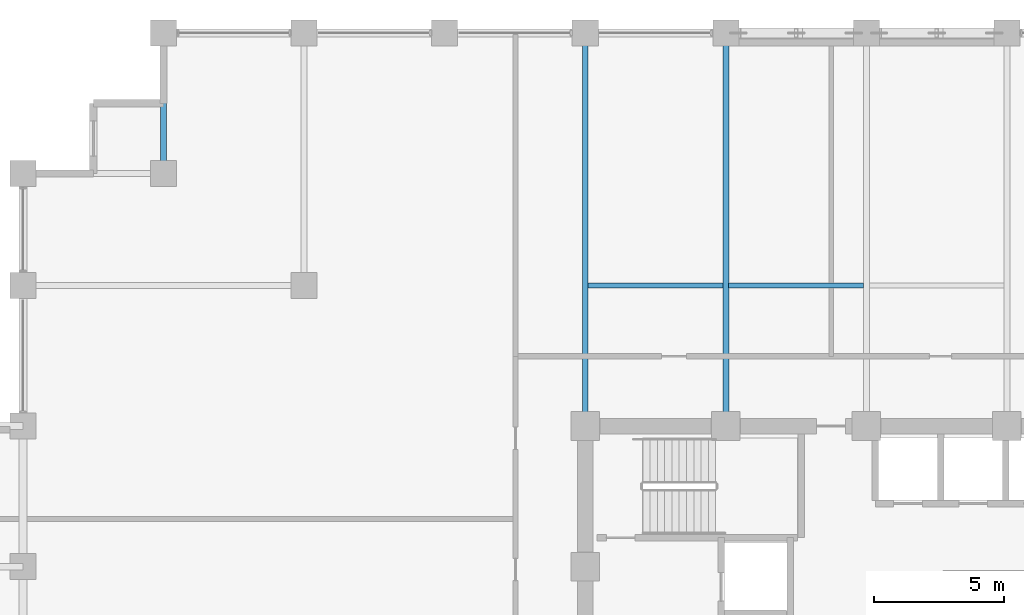
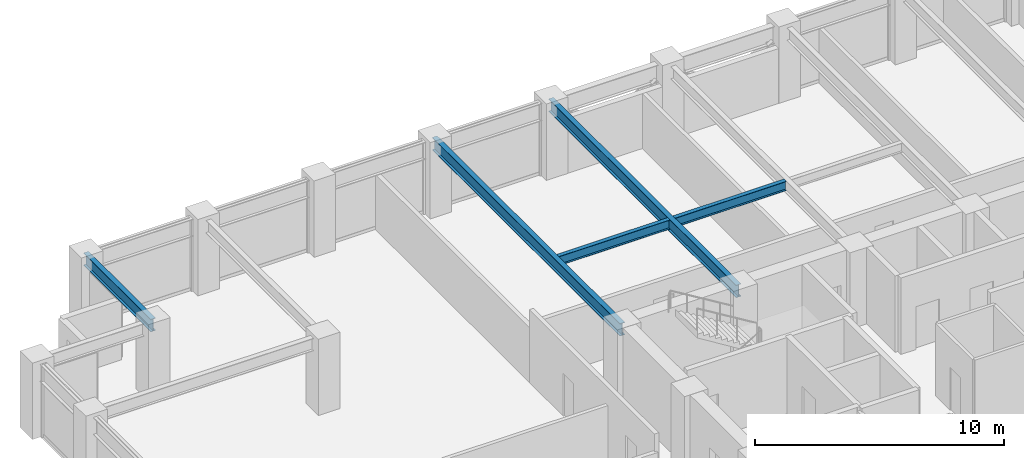
# One storey, part 12 of 26: 5 beams.
"""IFC4 building model written with IfcOpenShell, lengths in metres."""

import ifcopenshell
import ifcopenshell.guid

model = None  # the IFC model being written
_history = None  # IfcOwnerHistory: only IFC2X3 demands one
_inside = {}  # id of a spatial element -> (the spatial element, [elements in it])
_under = {}  # id of a project, library or spatial element -> (it, [spatial elements below it])
_declared = {}  # id of a project -> (the project, [libraries it declares])
_typed = {}  # id of a type object -> (the type object, [elements of that type])
_made_of = {}  # id of a material, layer set ... -> (it, [elements and type objects made of it])


def new_model(schema):
    """Start an empty IFC model of exactly this schema.

    Asked for "IFC4X3", IfcOpenShell would pick the latest addendum, in which some entities
    have other attributes; the version numbers below select the first issue.
    IFC2X3 requires an IfcOwnerHistory on every rooted entity: one is made here for all.
    """
    global model, _history
    if schema == "IFC4X3":
        model = ifcopenshell.file(schema_version=(4, 3, 0, 0))
    else:
        model = ifcopenshell.file(schema=schema)
    _inside.clear()
    _under.clear()
    _declared.clear()
    _typed.clear()
    _made_of.clear()
    _history = None
    if model.schema == "IFC2X3":
        org = make("IfcOrganization", Name="unknown")
        user = make(
            "IfcPersonAndOrganization",
            ThePerson=make("IfcPerson", FamilyName="unknown"),
            TheOrganization=org,
        )
        app = make(
            "IfcApplication",
            ApplicationDeveloper=org,
            Version="unknown",
            ApplicationFullName="unknown",
            ApplicationIdentifier="unknown",
        )
        _history = make(
            "IfcOwnerHistory",
            OwningUser=user,
            OwningApplication=app,
            ChangeAction="ADDED",
            CreationDate=0,
        )
    return model


def make(cls, **values):
    """One entity of the class cls with the attributes given. An attribute that is None is left unset."""
    return model.create_entity(
        cls, **{name: value for name, value in values.items() if value is not None}
    )


def rooted(cls, **values):
    """An entity with a GlobalId (a new one), such as an element, a storey or a relation."""
    return make(cls, GlobalId=ifcopenshell.guid.new(), OwnerHistory=_history, **values)


def si_unit(unit_type, name, prefix=None):
    """IfcSIUnit, for example si_unit("LENGTHUNIT", "METRE", prefix="MILLI")."""
    return make("IfcSIUnit", UnitType=unit_type, Prefix=prefix, Name=name)


def assignment(units):
    """IfcUnitAssignment: the units of a project."""
    return None if units is None else make("IfcUnitAssignment", Units=units)


def point(xyz):
    """IfcCartesianPoint."""
    return None if xyz is None else make("IfcCartesianPoint", Coordinates=xyz)


def direction(xyz):
    """IfcDirection."""
    return None if xyz is None else make("IfcDirection", DirectionRatios=xyz)


def frame(location, z_axis=None, x_axis=None):
    """IfcAxis2Placement3D, a coordinate frame: its origin and axes. An axis left out is left unset."""
    return make(
        "IfcAxis2Placement3D",
        Location=point(location),
        Axis=direction(z_axis),
        RefDirection=direction(x_axis),
    )


def frame_2d(location, x_axis=None):
    """IfcAxis2Placement2D, a coordinate frame in the plane: its origin and x axis."""
    return make(
        "IfcAxis2Placement2D", Location=point(location), RefDirection=direction(x_axis)
    )


def origin():
    """The frame at (0, 0, 0) with its axes left unset."""
    return frame((0.0, 0.0, 0.0))


def origin_2d():
    """The frame at (0, 0) in the plane with its x axis left unset."""
    return frame_2d((0.0, 0.0))


def place(relative_to, where):
    """IfcLocalPlacement: puts the frame where relative to a parent placement (None: the world)."""
    return make(
        "IfcLocalPlacement", PlacementRelTo=relative_to, RelativePlacement=where
    )


def context(
    kind, dimensions, precision=None, world=None, true_north=None, identifier=None
):
    """IfcGeometricRepresentationContext, for example the 3D "Model" context."""
    return make(
        "IfcGeometricRepresentationContext",
        ContextIdentifier=identifier,
        ContextType=kind,
        CoordinateSpaceDimension=dimensions,
        Precision=precision,
        WorldCoordinateSystem=world,
        TrueNorth=true_north,
    )


def subcontext(parent, identifier, kind, view, scale=None):
    """IfcGeometricRepresentationSubContext, for example "Body" below "Model"."""
    return make(
        "IfcGeometricRepresentationSubContext",
        ContextIdentifier=identifier,
        ContextType=kind,
        ParentContext=parent,
        TargetScale=scale,
        TargetView=view,
    )


def project(units=None, contexts=None):
    """IfcProject with its units and contexts."""
    return rooted(
        "IfcProject",
        Name="project",
        RepresentationContexts=contexts,
        UnitsInContext=assignment(units),
    )


def spatial(cls, under=None, at=None, **own):
    """A site, building, storey or space (cls), placed at a placement, below another one or the project."""
    s = rooted(cls, ObjectPlacement=at, **own)
    if under is not None:
        _under.setdefault(under.id(), (under, []))[1].append(s)
    return s


def profile(cls, at=None, kind="AREA", **sizes):
    """A parametric profile (cls). Its sizes go by their IFC names, for example OverallWidth=200.0."""
    return make(cls, ProfileType=kind, Position=at, **sizes)


def i_section(**sizes):
    """IfcIShapeProfileDef."""
    return profile("IfcIShapeProfileDef", **sizes)


def extrude(swept, where, along, depth):
    """IfcExtrudedAreaSolid: the profile swept, set in the frame where, extruded along a direction by depth."""
    return make(
        "IfcExtrudedAreaSolid",
        SweptArea=swept,
        Position=where,
        ExtrudedDirection=direction(along),
        Depth=depth,
    )


def shape(context_of_items, identifier, shape_type, items):
    """IfcShapeRepresentation: the items that make up one representation, for example the "Body"."""
    return make(
        "IfcShapeRepresentation",
        ContextOfItems=context_of_items,
        RepresentationIdentifier=identifier,
        RepresentationType=shape_type,
        Items=items,
    )


def material(Name=None, Category=None):
    """IfcMaterial."""
    return make("IfcMaterial", Name=Name, Category=Category)


def material_profile(
    of_material, cross_section, Name=None, Category=None, Priority=None
):
    """IfcMaterialProfile: a cross section and its material."""
    return make(
        "IfcMaterialProfile",
        Name=Name,
        Material=of_material,
        Profile=cross_section,
        Priority=Priority,
        Category=Category,
    )


def profile_set(profiles, Name=None, composite=None):
    """IfcMaterialProfileSet."""
    return make(
        "IfcMaterialProfileSet",
        Name=Name,
        MaterialProfiles=profiles,
        CompositeProfile=composite,
    )


def made_of(thing, what):
    """Note that an element or type object is made of a material, layer set ...; save() writes the relation."""
    if what is not None:
        _made_of.setdefault(what.id(), (what, []))[1].append(thing)
    return thing


def type_object(cls, material=None, **own):
    """A type object (cls), such as IfcWallType, which elements share."""
    return made_of(rooted(cls, **own), material)


def element(
    cls,
    number,
    at=None,
    inside=None,
    cuts=None,
    type_object=None,
    material=None,
    context=None,
    identifier="Body",
    shape_type=None,
    held_by="IfcProductDefinitionShape",
    body=None,
    shapes=None,
    **own,
):
    """One element of the class cls, such as IfcWall. Its Tag is "e" and its number.

    at: its placement. inside: the storey or other place that contains it. cuts: it is an
    opening in that element (IfcRelVoidsElement). A single representation is given by context,
    identifier, shape_type and body (its items); several are given by shapes. held_by: the class
    of the entity that holds the representations. save() writes the other relations.
    """
    e = rooted(cls, Tag="e%d" % number, ObjectPlacement=at, **own)
    if body is not None:
        shapes = [shape(context, identifier, shape_type, body)]
    if shapes is not None:
        e.Representation = make(held_by, Representations=shapes)
    if inside is not None:
        _inside.setdefault(inside.id(), (inside, []))[1].append(e)
    if cuts is not None:
        rooted(
            "IfcRelVoidsElement", RelatingBuildingElement=cuts, RelatedOpeningElement=e
        )
    if type_object is not None:
        _typed.setdefault(type_object.id(), (type_object, []))[1].append(e)
    return made_of(e, material)


def aggregate(whole, parts):
    """IfcRelAggregates: a whole, such as a stair, and the parts it consists of."""
    return rooted("IfcRelAggregates", RelatingObject=whole, RelatedObjects=parts)


def save(model, path):
    """Write the relations noted so far, then the file.

    IfcRelAggregates (storeys below a building ...), IfcRelContainedInSpatialStructure (elements
    in a storey), IfcRelDefinesByType, IfcRelAssociatesMaterial and IfcRelDeclares: one each for
    every whole, place, type object, material and project.
    """
    for whole, parts in _under.values():
        aggregate(whole, parts)
    for where, things in _inside.values():
        rooted(
            "IfcRelContainedInSpatialStructure",
            RelatedElements=things,
            RelatingStructure=where,
        )
    for kind, things in _typed.values():
        rooted("IfcRelDefinesByType", RelatedObjects=things, RelatingType=kind)
    for what, things in _made_of.values():
        rooted("IfcRelAssociatesMaterial", RelatedObjects=things, RelatingMaterial=what)
    for by, libraries in _declared.values():
        rooted("IfcRelDeclares", RelatingContext=by, RelatedDefinitions=libraries)
    model.write(path)


model = new_model("IFC4")

# Units and contexts
model_context = context("Model", 3, precision=1e-05, world=origin(), true_north=direction((0.0, 1.0)))
body_context = subcontext(model_context, "Body", "Model", "MODEL_VIEW")
ifc_project = project(units=[si_unit("LENGTHUNIT", "METRE"), si_unit("AREAUNIT", "SQUARE_METRE"), si_unit("VOLUMEUNIT", "CUBIC_METRE"), si_unit("PLANEANGLEUNIT", "RADIAN"), si_unit("MASSUNIT", "GRAM", prefix="KILO")], contexts=[model_context])

# Site, building, storey
site_placement = place(None, origin())
site = spatial("IfcSite", under=ifc_project, at=site_placement, CompositionType="ELEMENT")
building_placement = place(site_placement, origin())
building = spatial("IfcBuilding", under=site, at=building_placement, Name="Surkhivell Harbour Commons", CompositionType="ELEMENT")
storey_placement = place(building_placement, frame((0.0, 0.0, 143.25)))
storey = spatial("IfcBuildingStorey", under=building, at=storey_placement, Name="L37", CompositionType="ELEMENT", Elevation=143.25)

# Beams
ifc_material = material(Name="Steel S355", Category="steel")
ifc_material_profile_1 = material_profile(ifc_material, i_section(OverallWidth=0.22998046875, OverallDepth=0.616943359375, WebThickness=0.01318359375, FlangeThickness=0.022216796875, at=origin_2d()), Name="UB610x229x140")
ifc_profile_set_1 = profile_set([ifc_material_profile_1], Name="Steel S355")
beam_type_1 = type_object("IfcBeamType", Name="BM-GRD-610B", PredefinedType="BEAM", material=ifc_profile_set_1)
beam_placement = place(storey_placement, frame((-27.0, 20.5, 3.261474609375), z_axis=(0.0, 1.0, 0.0), x_axis=(-1.0, 0.0, 0.0)))
element("IfcBeam", 1, at=beam_placement, inside=storey, type_object=beam_type_1, Name="L37 Floor Girder (-27.0,20.5)", PredefinedType="BEAM", context=body_context, shape_type="SweptSolid", body=[
    extrude(i_section(OverallWidth=0.22998046875, OverallDepth=0.616943359375, WebThickness=0.01318359375, FlangeThickness=0.022216796875, at=origin_2d()), origin(), (0.0, 0.0, 1.0), 5.39990234375),
])
for number, where, z_axis, x_axis, name in (
    (2, (-10.800048828125, 10.800048828125, 3.261474609375), (0.0, 1.0, 0.0), (-1.0, 0.0, 0.0), "L37 Floor Girder (-10.8,10.8)"),
    (3, (-5.39990234375, 10.800048828125, 3.261474609375), (0.0, 1.0, 0.0), (-1.0, 0.0, 0.0), "L37 Floor Girder (-5.4,10.8)"),
):
    element("IfcBeam", number, at=place(storey_placement, frame(where, z_axis=z_axis, x_axis=x_axis)), inside=storey, type_object=beam_type_1, Name=name, PredefinedType="BEAM", context=body_context, shape_type="SweptSolid", body=[
        extrude(i_section(OverallWidth=0.22998046875, OverallDepth=0.616943359375, WebThickness=0.01318359375, FlangeThickness=0.022216796875, at=origin_2d()), origin(), (0.0, 0.0, 1.0), 15.099853515625),
    ])
ifc_material_profile_2 = material_profile(ifc_material, i_section(OverallWidth=0.18994140625, OverallDepth=0.45703125, WebThickness=0.009033203125, FlangeThickness=0.014404296875, at=origin_2d()), Name="UB457x191x74")
ifc_profile_set_2 = profile_set([ifc_material_profile_2], Name="Steel S355")
beam_type_2 = type_object("IfcBeamType", Name="BM-JST-457B", PredefinedType="JOIST", material=ifc_profile_set_2)
for number, where, z_axis, x_axis, name in (
    (4, (-10.68701171875, 16.199951171875, 3.341552734375), (1.0, 0.0, 0.0), (0.0, 1.0, 0.0), "L37 North Composite Joist (-10.8)"),
    (5, (-5.287109375, 16.199951171875, 3.341552734375), (1.0, 0.0, 0.0), (0.0, 1.0, 0.0), "L37 North Composite Joist (-5.4)"),
):
    element("IfcBeam", number, at=place(storey_placement, frame(where, z_axis=z_axis, x_axis=x_axis)), inside=storey, type_object=beam_type_2, Name=name, PredefinedType="JOIST", context=body_context, shape_type="SweptSolid", body=[
        extrude(i_section(OverallWidth=0.18994140625, OverallDepth=0.45703125, WebThickness=0.009033203125, FlangeThickness=0.014404296875, at=origin_2d()), origin(), (0.0, 0.0, 1.0), 5.174072265625),
    ])

save(model, "model.ifc")
